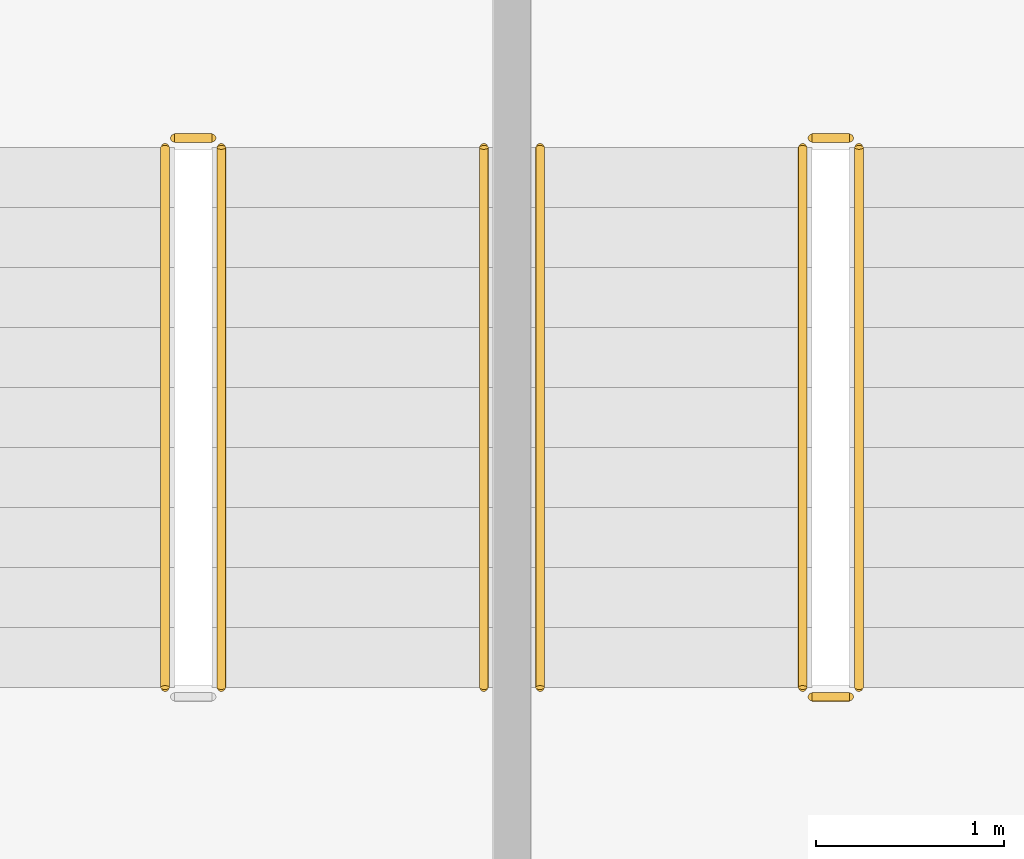
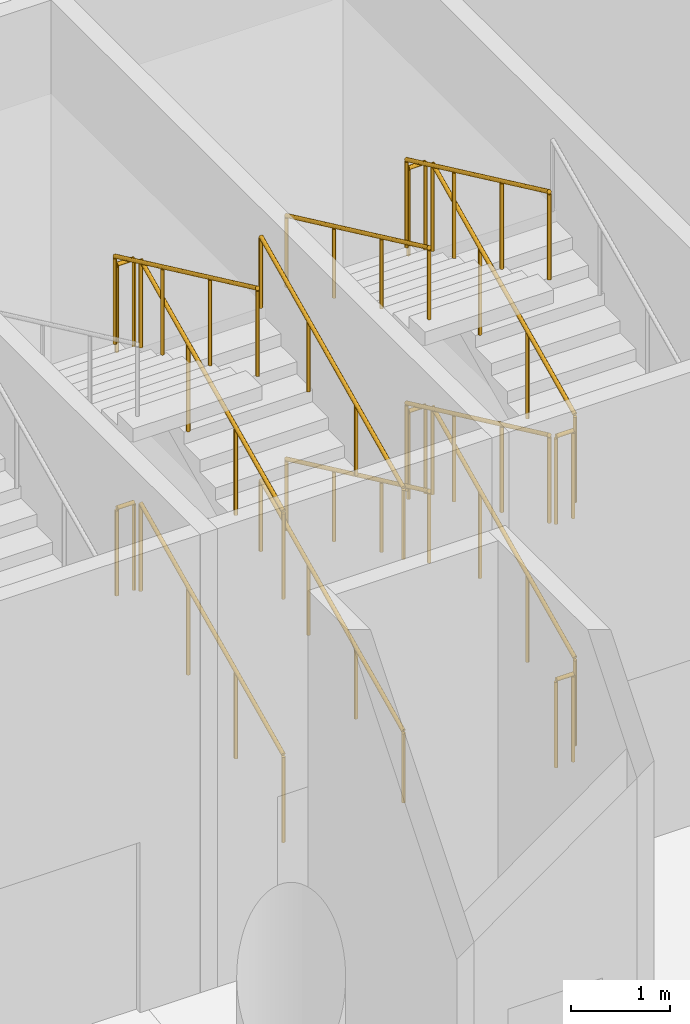
# One storey, part 239 of 249: 17 railings.
"""IFC4 building model written with IfcOpenShell, lengths in metres."""

from ifc_helpers import new_model, si_unit, direction, frame, origin, origin_2d, place, context, subcontext, project, spatial, circle, extrude, material, type_object, element, save


model = new_model("IFC4")

# Units and contexts
model_context = context("Model", 3, precision=1e-05, world=origin(), true_north=direction((0.0, 1.0)))
body_context = subcontext(model_context, "Body", "Model", "MODEL_VIEW")
ifc_project = project(units=[si_unit("LENGTHUNIT", "METRE"), si_unit("AREAUNIT", "SQUARE_METRE"), si_unit("VOLUMEUNIT", "CUBIC_METRE"), si_unit("PLANEANGLEUNIT", "RADIAN"), si_unit("MASSUNIT", "GRAM", prefix="KILO")], contexts=[model_context])

# Site, building, storey
site_placement = place(None, origin())
site = spatial("IfcSite", under=ifc_project, at=site_placement, CompositionType="ELEMENT")
building_placement = place(site_placement, origin())
building = spatial("IfcBuilding", under=site, at=building_placement, Name="Meseta Stadium", CompositionType="ELEMENT")
storey_placement = place(building_placement, frame((0.0, 0.0, 12.0)))
storey = spatial("IfcBuildingStorey", under=building, at=storey_placement, Name="L02", CompositionType="ELEMENT", Elevation=12.0)

# Railings
ifc_material_1 = material(Name="Steel S355", Category="steel")
railing_type_1 = type_object("IfcRailingType", Name="Stair guard 1100", PredefinedType="GUARDRAIL", material=ifc_material_1)
railing_1_placement = place(storey_placement, frame((12.916748046875, 94.89990234375, 0.14990234375)))
element("IfcRailing", 1, at=railing_1_placement, inside=storey, type_object=railing_type_1, Name="ST37 L02 guard 1", PredefinedType="GUARDRAIL", context=body_context, shape_type="SweptSolid", body=[
    extrude(circle(Radius=0.02392578125, at=origin_2d()), frame((0.0, 0.0, 1.076171875), z_axis=(0.0, 0.905454327043, 0.424443708447), x_axis=(-1.0, 0.0, 0.0)), (0.0, 0.0, 1.0), 3.180908203125),
    extrude(circle(Radius=0.02099609375, at=origin_2d()), origin(), (0.0, 0.0, 1.0), 1.052001953125),
    extrude(circle(Radius=0.02099609375, at=origin_2d()), frame((0.0, 0.9599609375, 0.449951171875)), (0.0, 0.0, 1.0), 1.052001953125),
    extrude(circle(Radius=0.02099609375, at=origin_2d()), frame((0.0, 1.920166015625, 0.900146484375)), (0.0, 0.0, 1.0), 1.052001953125),
    extrude(circle(Radius=0.02099609375, at=origin_2d()), frame((0.0, 2.880126953125, 1.35009765625)), (0.0, 0.0, 1.0), 1.052001953125),
])
railing_2_placement = place(storey_placement, frame((12.86669921875, 97.830078125, 1.5)))
element("IfcRailing", 2, at=railing_2_placement, inside=storey, type_object=railing_type_1, Name="ST37 L02 guard 2", PredefinedType="GUARDRAIL", context=body_context, shape_type="SweptSolid", body=[
    extrude(circle(Radius=0.02392578125, at=origin_2d()), frame((0.0, 0.0, 1.076171875), z_axis=(-1.0, 0.0, 0.0), x_axis=(0.0, -1.0, 0.0)), (0.0, 0.0, 1.0), 0.199951171875),
    extrude(circle(Radius=0.02099609375, at=origin_2d()), origin(), (0.0, 0.0, 1.0), 1.052001953125),
    extrude(circle(Radius=0.02099609375, at=origin_2d()), frame((-0.199951171875, 0.0, 0.0)), (0.0, 0.0, 1.0), 1.052001953125),
])
railing_3_placement = place(storey_placement, frame((12.61669921875, 97.780029296875, 1.64990234375)))
element("IfcRailing", 3, at=railing_3_placement, inside=storey, type_object=railing_type_1, Name="ST37 L02 guard 3", PredefinedType="GUARDRAIL", context=body_context, shape_type="SweptSolid", body=[
    extrude(circle(Radius=0.02392578125, at=origin_2d()), frame((0.0, 0.0, 1.076171875), z_axis=(0.0, -0.905454327043, 0.424443708447), x_axis=(1.0, 0.0, 0.0)), (0.0, 0.0, 1.0), 3.180908203125),
    extrude(circle(Radius=0.02099609375, at=origin_2d()), origin(), (0.0, 0.0, 1.0), 1.052001953125),
    extrude(circle(Radius=0.02099609375, at=origin_2d()), frame((0.0, -0.9599609375, 0.449951171875)), (0.0, 0.0, 1.0), 1.052001953125),
    extrude(circle(Radius=0.02099609375, at=origin_2d()), frame((0.0, -1.920166015625, 0.900146484375)), (0.0, 0.0, 1.0), 1.052001953125),
    extrude(circle(Radius=0.02099609375, at=origin_2d()), frame((0.0, -2.880126953125, 1.35009765625)), (0.0, 0.0, 1.0), 1.052001953125),
])
railing_4_placement = place(storey_placement, frame((12.86669921875, 94.85009765625, 3.0)))
element("IfcRailing", 4, at=railing_4_placement, inside=storey, type_object=railing_type_1, Name="ST37 L02 guard 4", PredefinedType="GUARDRAIL", context=body_context, shape_type="SweptSolid", body=[
    extrude(circle(Radius=0.02392578125, at=origin_2d()), frame((0.0, 0.0, 1.076171875), z_axis=(-1.0, 0.0, 0.0), x_axis=(0.0, -1.0, 0.0)), (0.0, 0.0, 1.0), 0.199951171875),
    extrude(circle(Radius=0.02099609375, at=origin_2d()), origin(), (0.0, 0.0, 1.0), 1.052001953125),
    extrude(circle(Radius=0.02099609375, at=origin_2d()), frame((-0.199951171875, 0.0, 0.0)), (0.0, 0.0, 1.0), 1.052001953125),
])
railing_5_placement = place(storey_placement, frame((12.916748046875, 94.89990234375, 3.14990234375)))
element("IfcRailing", 5, at=railing_5_placement, inside=storey, type_object=railing_type_1, Name="ST37 L02 guard 5", PredefinedType="GUARDRAIL", context=body_context, shape_type="SweptSolid", body=[
    extrude(circle(Radius=0.02392578125, at=origin_2d()), frame((0.0, 0.0, 1.076171875), z_axis=(0.0, 0.905454327043, 0.424443708447), x_axis=(-1.0, 0.0, 0.0)), (0.0, 0.0, 1.0), 3.180908203125),
    extrude(circle(Radius=0.02099609375, at=origin_2d()), origin(), (0.0, 0.0, 1.0), 1.052001953125),
    extrude(circle(Radius=0.02099609375, at=origin_2d()), frame((0.0, 0.9599609375, 0.449951171875)), (0.0, 0.0, 1.0), 1.052001953125),
    extrude(circle(Radius=0.02099609375, at=origin_2d()), frame((0.0, 1.920166015625, 0.900146484375)), (0.0, 0.0, 1.0), 1.052001953125),
    extrude(circle(Radius=0.02099609375, at=origin_2d()), frame((0.0, 2.880126953125, 1.35009765625)), (0.0, 0.0, 1.0), 1.052001953125),
])
railing_6_placement = place(storey_placement, frame((12.86669921875, 97.830078125, 4.5)))
element("IfcRailing", 6, at=railing_6_placement, inside=storey, type_object=railing_type_1, Name="ST37 L02 guard 6", PredefinedType="GUARDRAIL", context=body_context, shape_type="SweptSolid", body=[
    extrude(circle(Radius=0.02392578125, at=origin_2d()), frame((0.0, 0.0, 1.076171875), z_axis=(-1.0, 0.0, 0.0), x_axis=(0.0, -1.0, 0.0)), (0.0, 0.0, 1.0), 0.199951171875),
    extrude(circle(Radius=0.02099609375, at=origin_2d()), origin(), (0.0, 0.0, 1.0), 1.052001953125),
    extrude(circle(Radius=0.02099609375, at=origin_2d()), frame((-0.199951171875, 0.0, 0.0)), (0.0, 0.0, 1.0), 1.052001953125),
])
railing_7_placement = place(storey_placement, frame((12.61669921875, 97.780029296875, 4.64990234375)))
element("IfcRailing", 7, at=railing_7_placement, inside=storey, type_object=railing_type_1, Name="ST37 L02 guard 7", PredefinedType="GUARDRAIL", context=body_context, shape_type="SweptSolid", body=[
    extrude(circle(Radius=0.02392578125, at=origin_2d()), frame((0.0, 0.0, 1.076171875), z_axis=(0.0, -0.905454327043, 0.424443708447), x_axis=(1.0, 0.0, 0.0)), (0.0, 0.0, 1.0), 3.180908203125),
    extrude(circle(Radius=0.02099609375, at=origin_2d()), origin(), (0.0, 0.0, 1.0), 1.052001953125),
    extrude(circle(Radius=0.02099609375, at=origin_2d()), frame((0.0, -0.9599609375, 0.449951171875)), (0.0, 0.0, 1.0), 1.052001953125),
    extrude(circle(Radius=0.02099609375, at=origin_2d()), frame((0.0, -1.920166015625, 0.900146484375)), (0.0, 0.0, 1.0), 1.052001953125),
    extrude(circle(Radius=0.02099609375, at=origin_2d()), frame((0.0, -2.880126953125, 1.35009765625)), (0.0, 0.0, 1.0), 1.052001953125),
])
railing_8_placement = place(storey_placement, frame((12.86669921875, 94.85009765625, 0.0)))
element("IfcRailing", 8, at=railing_8_placement, inside=storey, type_object=railing_type_1, Name="ST37 L02 guard 8", PredefinedType="GUARDRAIL", context=body_context, shape_type="SweptSolid", body=[
    extrude(circle(Radius=0.02392578125, at=origin_2d()), frame((0.0, 0.0, 1.076171875), z_axis=(-1.0, 0.0, 0.0), x_axis=(0.0, -1.0, 0.0)), (0.0, 0.0, 1.0), 0.199951171875),
    extrude(circle(Radius=0.02099609375, at=origin_2d()), origin(), (0.0, 0.0, 1.0), 1.052001953125),
    extrude(circle(Radius=0.02099609375, at=origin_2d()), frame((-0.199951171875, 0.0, 0.0)), (0.0, 0.0, 1.0), 1.052001953125),
])
railing_9_placement = place(storey_placement, frame((9.5166015625, 94.89990234375, 0.14990234375)))
element("IfcRailing", 9, at=railing_9_placement, inside=storey, type_object=railing_type_1, Name="ST38 L02 guard 1", PredefinedType="GUARDRAIL", context=body_context, shape_type="SweptSolid", body=[
    extrude(circle(Radius=0.02392578125, at=origin_2d()), frame((0.0, 0.0, 1.076171875), z_axis=(0.0, 0.905454327043, 0.424443708447), x_axis=(-1.0, 0.0, 0.0)), (0.0, 0.0, 1.0), 3.180908203125),
    extrude(circle(Radius=0.02099609375, at=origin_2d()), origin(), (0.0, 0.0, 1.0), 1.052001953125),
    extrude(circle(Radius=0.02099609375, at=origin_2d()), frame((0.0, 0.9599609375, 0.449951171875)), (0.0, 0.0, 1.0), 1.052001953125),
    extrude(circle(Radius=0.02099609375, at=origin_2d()), frame((0.0, 1.920166015625, 0.900146484375)), (0.0, 0.0, 1.0), 1.052001953125),
    extrude(circle(Radius=0.02099609375, at=origin_2d()), frame((0.0, 2.880126953125, 1.35009765625)), (0.0, 0.0, 1.0), 1.052001953125),
])
railing_10_placement = place(storey_placement, frame((9.466552734375, 97.830078125, 1.5)))
element("IfcRailing", 10, at=railing_10_placement, inside=storey, type_object=railing_type_1, Name="ST38 L02 guard 2", PredefinedType="GUARDRAIL", context=body_context, shape_type="SweptSolid", body=[
    extrude(circle(Radius=0.02392578125, at=origin_2d()), frame((0.0, 0.0, 1.076171875), z_axis=(-1.0, 0.0, 0.0), x_axis=(0.0, -1.0, 0.0)), (0.0, 0.0, 1.0), 0.199951171875),
    extrude(circle(Radius=0.02099609375, at=origin_2d()), origin(), (0.0, 0.0, 1.0), 1.052001953125),
    extrude(circle(Radius=0.02099609375, at=origin_2d()), frame((-0.199951171875, 0.0, 0.0)), (0.0, 0.0, 1.0), 1.052001953125),
])
railing_11_placement = place(storey_placement, frame((9.5166015625, 94.89990234375, 3.14990234375)))
element("IfcRailing", 11, at=railing_11_placement, inside=storey, type_object=railing_type_1, Name="ST38 L02 guard 5", PredefinedType="GUARDRAIL", context=body_context, shape_type="SweptSolid", body=[
    extrude(circle(Radius=0.02392578125, at=origin_2d()), frame((0.0, 0.0, 1.076171875), z_axis=(0.0, 0.905454327043, 0.424443708447), x_axis=(-1.0, 0.0, 0.0)), (0.0, 0.0, 1.0), 3.180908203125),
    extrude(circle(Radius=0.02099609375, at=origin_2d()), origin(), (0.0, 0.0, 1.0), 1.052001953125),
    extrude(circle(Radius=0.02099609375, at=origin_2d()), frame((0.0, 0.9599609375, 0.449951171875)), (0.0, 0.0, 1.0), 1.052001953125),
    extrude(circle(Radius=0.02099609375, at=origin_2d()), frame((0.0, 1.920166015625, 0.900146484375)), (0.0, 0.0, 1.0), 1.052001953125),
    extrude(circle(Radius=0.02099609375, at=origin_2d()), frame((0.0, 2.880126953125, 1.35009765625)), (0.0, 0.0, 1.0), 1.052001953125),
])
railing_12_placement = place(storey_placement, frame((9.466552734375, 97.830078125, 4.5)))
element("IfcRailing", 12, at=railing_12_placement, inside=storey, type_object=railing_type_1, Name="ST38 L02 guard 6", PredefinedType="GUARDRAIL", context=body_context, shape_type="SweptSolid", body=[
    extrude(circle(Radius=0.02392578125, at=origin_2d()), frame((0.0, 0.0, 1.076171875), z_axis=(-1.0, 0.0, 0.0), x_axis=(0.0, -1.0, 0.0)), (0.0, 0.0, 1.0), 0.199951171875),
    extrude(circle(Radius=0.02099609375, at=origin_2d()), origin(), (0.0, 0.0, 1.0), 1.052001953125),
    extrude(circle(Radius=0.02099609375, at=origin_2d()), frame((-0.199951171875, 0.0, 0.0)), (0.0, 0.0, 1.0), 1.052001953125),
])
railing_13_placement = place(storey_placement, frame((9.216552734375, 97.780029296875, 4.64990234375)))
element("IfcRailing", 13, at=railing_13_placement, inside=storey, type_object=railing_type_1, Name="ST38 L02 guard 7", PredefinedType="GUARDRAIL", context=body_context, shape_type="SweptSolid", body=[
    extrude(circle(Radius=0.02392578125, at=origin_2d()), frame((0.0, 0.0, 1.076171875), z_axis=(0.0, -0.905454327043, 0.424443708447), x_axis=(1.0, 0.0, 0.0)), (0.0, 0.0, 1.0), 3.180908203125),
    extrude(circle(Radius=0.02099609375, at=origin_2d()), origin(), (0.0, 0.0, 1.0), 1.052001953125),
    extrude(circle(Radius=0.02099609375, at=origin_2d()), frame((0.0, -0.9599609375, 0.449951171875)), (0.0, 0.0, 1.0), 1.052001953125),
    extrude(circle(Radius=0.02099609375, at=origin_2d()), frame((0.0, -1.920166015625, 0.900146484375)), (0.0, 0.0, 1.0), 1.052001953125),
    extrude(circle(Radius=0.02099609375, at=origin_2d()), frame((0.0, -2.880126953125, 1.35009765625)), (0.0, 0.0, 1.0), 1.052001953125),
])
ifc_material_2 = material(Name="Steel S355", Category="steel")
railing_type_2 = type_object("IfcRailingType", Name="Stair handrail 900", PredefinedType="HANDRAIL", material=ifc_material_2)
for number, where, name in (
    (14, (11.216552734375, 97.780029296875, 1.64990234375), "ST37 L02 handrail 2"),
    (15, (11.216552734375, 97.780029296875, 4.64990234375), "ST37 L02 handrail 4"),
):
    element("IfcRailing", number, at=place(storey_placement, frame(where)), inside=storey, type_object=railing_type_2, Name=name, PredefinedType="HANDRAIL", context=body_context, shape_type="SweptSolid", body=[
        extrude(circle(Radius=0.02392578125, at=origin_2d()), frame((0.0, 0.0, 0.8759765625), z_axis=(0.0, -0.905454327043, 0.424443708447), x_axis=(1.0, 0.0, 0.0)), (0.0, 0.0, 1.0), 3.180908203125),
        extrude(circle(Radius=0.02099609375, at=origin_2d()), origin(), (0.0, 0.0, 1.0), 0.851806640625),
        extrude(circle(Radius=0.02099609375, at=origin_2d()), frame((0.0, -0.9599609375, 0.449951171875)), (0.0, 0.0, 1.0), 0.851806640625),
        extrude(circle(Radius=0.02099609375, at=origin_2d()), frame((0.0, -1.920166015625, 0.900146484375)), (0.0, 0.0, 1.0), 0.851806640625),
        extrude(circle(Radius=0.02099609375, at=origin_2d()), frame((0.0, -2.880126953125, 1.35009765625)), (0.0, 0.0, 1.0), 0.851806640625),
    ])
for number, where, name in (
    (16, (10.916748046875, 94.89990234375, 0.14990234375), "ST38 L02 handrail 1"),
    (17, (10.916748046875, 94.89990234375, 3.14990234375), "ST38 L02 handrail 3"),
):
    element("IfcRailing", number, at=place(storey_placement, frame(where)), inside=storey, type_object=railing_type_2, Name=name, PredefinedType="HANDRAIL", context=body_context, shape_type="SweptSolid", body=[
        extrude(circle(Radius=0.02392578125, at=origin_2d()), frame((0.0, 0.0, 0.8759765625), z_axis=(0.0, 0.905454327043, 0.424443708447), x_axis=(-1.0, 0.0, 0.0)), (0.0, 0.0, 1.0), 3.180908203125),
        extrude(circle(Radius=0.02099609375, at=origin_2d()), origin(), (0.0, 0.0, 1.0), 0.851806640625),
        extrude(circle(Radius=0.02099609375, at=origin_2d()), frame((0.0, 0.9599609375, 0.449951171875)), (0.0, 0.0, 1.0), 0.851806640625),
        extrude(circle(Radius=0.02099609375, at=origin_2d()), frame((0.0, 1.920166015625, 0.900146484375)), (0.0, 0.0, 1.0), 0.851806640625),
        extrude(circle(Radius=0.02099609375, at=origin_2d()), frame((0.0, 2.880126953125, 1.35009765625)), (0.0, 0.0, 1.0), 0.851806640625),
    ])

save(model, "model.ifc")
